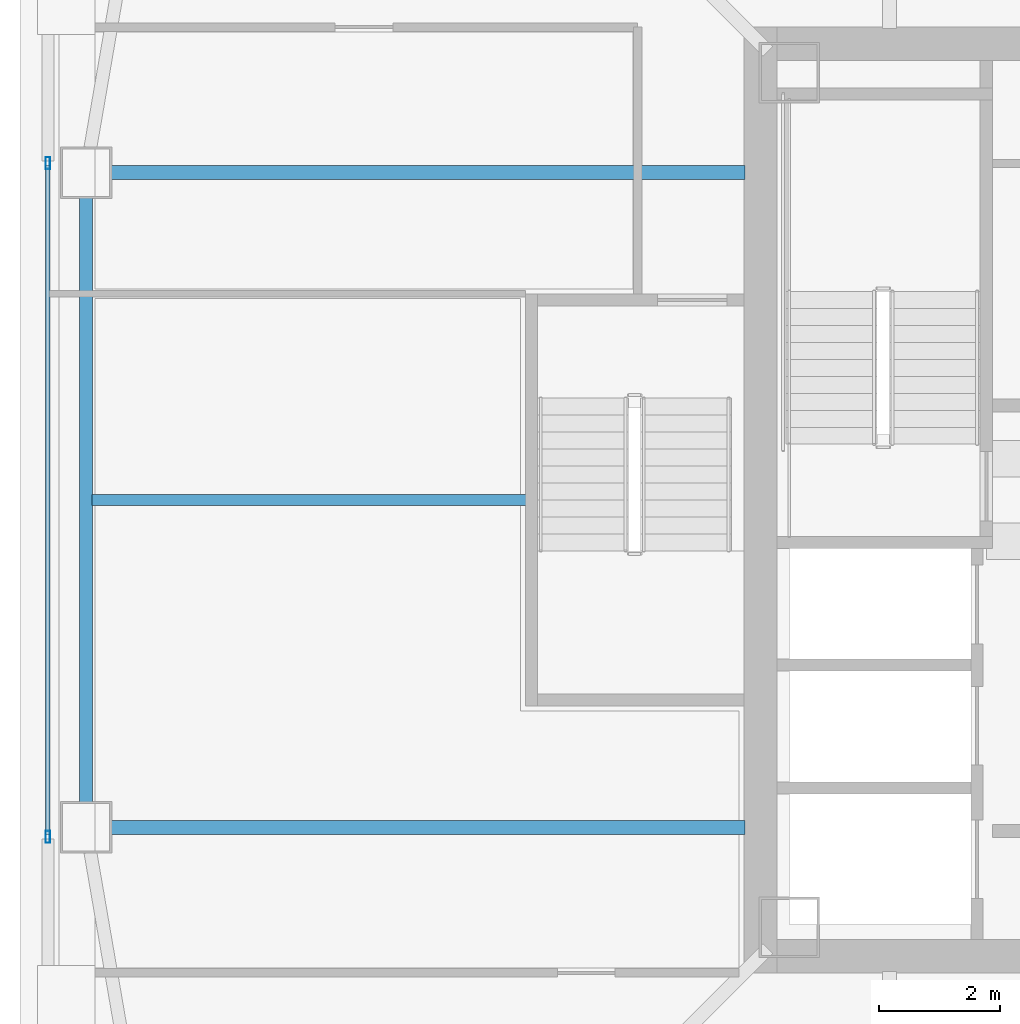
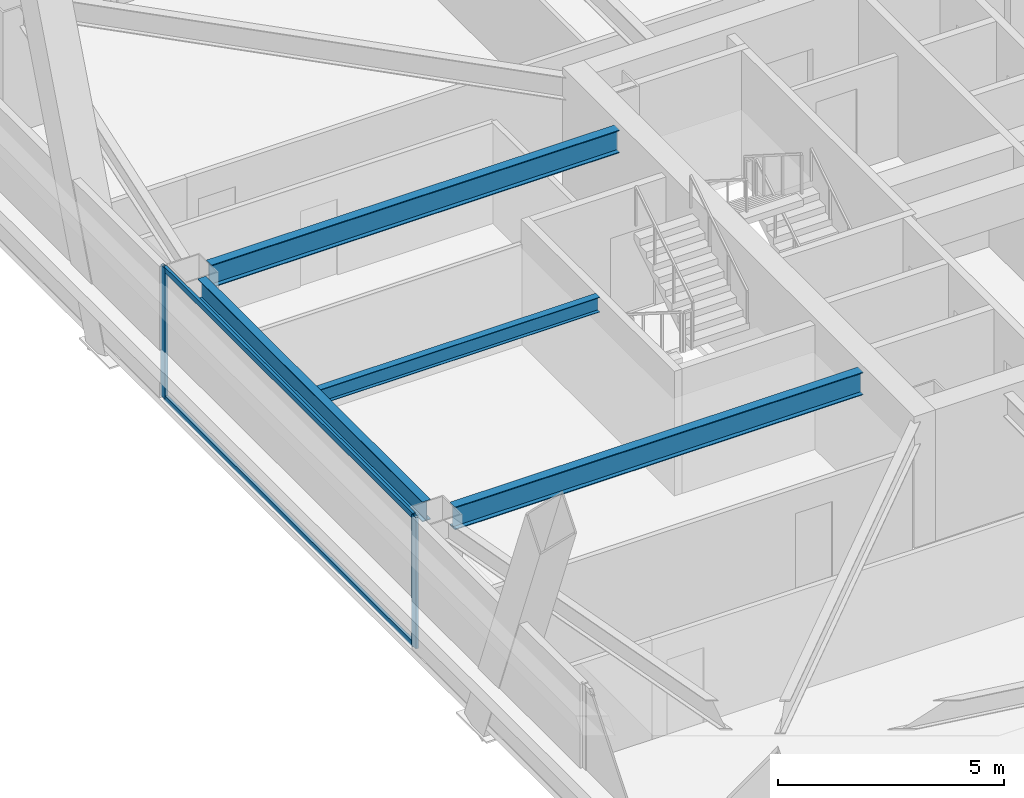
# One storey, part 10 of 54: 4 beams, 4 members, 1 element without a shape of its own.
"""IFC4 building model written with IfcOpenShell, lengths in metres."""

from ifc_helpers import new_model, si_unit, direction, frame, origin, origin_2d, place, context, subcontext, project, spatial, hollow_rectangle, i_section, extrude, material, material_profile, profile_set, type_object, element, aggregate, save


model = new_model("IFC4")

# Units and contexts
model_context = context("Model", 3, precision=1e-05, world=origin(), true_north=direction((0.0, 1.0)))
body_context = subcontext(model_context, "Body", "Model", "MODEL_VIEW")
ifc_project = project(units=[si_unit("LENGTHUNIT", "METRE"), si_unit("AREAUNIT", "SQUARE_METRE"), si_unit("VOLUMEUNIT", "CUBIC_METRE"), si_unit("PLANEANGLEUNIT", "RADIAN"), si_unit("MASSUNIT", "GRAM", prefix="KILO")], contexts=[model_context])

# Site, building, storey
site_placement = place(None, origin())
site = spatial("IfcSite", under=ifc_project, at=site_placement, CompositionType="ELEMENT")
building_placement = place(site_placement, origin())
building = spatial("IfcBuilding", under=site, at=building_placement, Name="Tashvorn Skyway Center", CompositionType="ELEMENT")
storey_placement = place(building_placement, frame((0.0, 0.0, 135.699951171875)))
storey = spatial("IfcBuildingStorey", under=building, at=storey_placement, Name="L36", CompositionType="ELEMENT", Elevation=135.699951171875)

# Beams
ifc_material_1 = material(Name="Steel ASTM A992 Grade 50", Category="steel")
ifc_material_profile_1 = material_profile(ifc_material_1, i_section(OverallWidth=0.22998046875, OverallDepth=0.616943359375, WebThickness=0.01318359375, FlangeThickness=0.022216796875, at=origin_2d()), Name="W24X94")
ifc_profile_set_1 = profile_set([ifc_material_profile_1], Name="Steel ASTM A992 Grade 50")
beam_type_1 = type_object("IfcBeamType", Name="BM-BEAM-W24X94", PredefinedType="BEAM", material=ifc_profile_set_1)
for number, where, z_axis, x_axis, name in (
    (1, (23.77001953125, 37.39990234375, 3.0615234375), (1.0, 0.0, 0.0), (0.0, 1.0, 0.0), "Tower 1 L36 Primary Floor Girder FC-W1"),
    (2, (23.77001953125, 26.60009765625, 3.0615234375), (1.0, 0.0, 0.0), (0.0, 1.0, 0.0), "Tower 1 L36 Primary Floor Girder FC-W2"),
):
    element("IfcBeam", number, at=place(storey_placement, frame(where, z_axis=z_axis, x_axis=x_axis)), inside=storey, type_object=beam_type_1, Name=name, PredefinedType="BEAM", context=body_context, shape_type="SweptSolid", body=[
        extrude(i_section(OverallWidth=0.22998046875, OverallDepth=0.616943359375, WebThickness=0.01318359375, FlangeThickness=0.022216796875, at=origin_2d()), origin(), (0.0, 0.0, 1.0), 10.449951171875),
    ])
ifc_material_profile_2 = material_profile(ifc_material_1, i_section(OverallWidth=0.177978515625, OverallDepth=0.406005859375, WebThickness=0.0078125, FlangeThickness=0.0126953125, at=origin_2d()), Name="W16X40")
ifc_profile_set_2 = profile_set([ifc_material_profile_2], Name="Steel ASTM A992 Grade 50")
beam_type_2 = type_object("IfcBeamType", Name="BM-JOIST-W16X40", PredefinedType="JOIST", material=ifc_profile_set_2)
beam_1_placement = place(storey_placement, frame((30.610107421875, 32.0, 3.1669921875), z_axis=(-1.0, 0.0, 0.0), x_axis=(0.0, -1.0, 0.0)))
element("IfcBeam", 3, at=beam_1_placement, inside=storey, type_object=beam_type_2, Name="Tower 1 L36 Secondary Composite Joist JW", PredefinedType="JOIST", context=body_context, shape_type="SweptSolid", body=[
    extrude(i_section(OverallWidth=0.177978515625, OverallDepth=0.406005859375, WebThickness=0.0078125, FlangeThickness=0.0126953125, at=origin_2d()), origin(), (0.0, 0.0, 1.0), 7.16259765625),
])
ifc_material_profile_3 = material_profile(ifc_material_1, i_section(OverallWidth=0.2109375, OverallDepth=0.5390625, WebThickness=0.01171875, FlangeThickness=0.018798828125, at=origin_2d()), Name="W21X73")
ifc_profile_set_3 = profile_set([ifc_material_profile_3], Name="Steel ASTM A992 Grade 50")
beam_type_3 = type_object("IfcBeamType", Name="BM-SPANDREL-W21X73", PredefinedType="SPANDREL", material=ifc_profile_set_3)
beam_2_placement = place(storey_placement, frame((23.35009765625, 36.97998046875, 3.1005859375), z_axis=(0.0, -1.0, 0.0), x_axis=(1.0, 0.0, 0.0)))
element("IfcBeam", 4, at=beam_2_placement, inside=storey, type_object=beam_type_3, Name="Tower 1 L36 Spandrel Beam 11", PredefinedType="SPANDREL", context=body_context, shape_type="SweptSolid", body=[
    extrude(i_section(OverallWidth=0.2109375, OverallDepth=0.5390625, WebThickness=0.01171875, FlangeThickness=0.018798828125, at=origin_2d()), origin(), (0.0, 0.0, 1.0), 9.9599609375),
])

# Curtain wall, members
ifc_material_2 = material(Name="Thermally broken bronze-anodized aluminium 6063-T6", Category="aluminium")
curtain_wall_type = type_object("IfcCurtainWallType", Name="CW-CW-Z3", PredefinedType="NOTDEFINED", material=ifc_material_2)
curtain_wall_placement = place(storey_placement, origin())
curtain_wall = element("IfcCurtainWall", 5, at=curtain_wall_placement, inside=storey, type_object=curtain_wall_type, Name="Tower 1 L36 West Unitised Curtain Wall Glazing Group 2", PredefinedType="NOTDEFINED")
ifc_material_profile_4 = material_profile(ifc_material_2, hollow_rectangle(XDim=0.074951171875, YDim=0.199951171875, WallThickness=0.00439453125, at=origin_2d()), Name="ALU-MULL-75x200")
ifc_profile_set_4 = profile_set([ifc_material_profile_4], Name="Thermally broken bronze-anodized aluminium 6063-T6")
member_type_1 = type_object("IfcMemberType", Name="CWM-CW-Z3", PredefinedType="MULLION", material=ifc_profile_set_4)
member_1_placement = place(storey_placement, frame((22.719970703125, 26.444091796875, 0.0), z_axis=(0.0, 0.0, 1.0), x_axis=(-1.0, 0.0, 0.0)))
member_1 = element("IfcMember", 6, at=member_1_placement, type_object=member_type_1, Name="CW-Z3 mullion 1", PredefinedType="MULLION", context=body_context, shape_type="SweptSolid", body=[
    extrude(hollow_rectangle(XDim=0.074951171875, YDim=0.199951171875, WallThickness=0.00439453125, at=origin_2d()), origin(), (0.0, 0.0, 1.0), 3.550048828125),
])
member_2_placement = place(storey_placement, frame((22.719970703125, 37.555908203125, 0.0), z_axis=(0.0, 0.0, 1.0), x_axis=(-1.0, 0.0, 0.0)))
member_2 = element("IfcMember", 7, at=member_2_placement, type_object=member_type_1, Name="CW-Z3 mullion 2", PredefinedType="MULLION", context=body_context, shape_type="SweptSolid", body=[
    extrude(hollow_rectangle(XDim=0.074951171875, YDim=0.199951171875, WallThickness=0.00439453125, at=origin_2d()), origin(), (0.0, 0.0, 1.0), 3.550048828125),
])
ifc_material_profile_5 = material_profile(ifc_material_2, hollow_rectangle(XDim=0.074951171875, YDim=0.139892578125, WallThickness=0.004150390625, at=origin_2d()), Name="ALU-TRAN-75x140")
ifc_profile_set_5 = profile_set([ifc_material_profile_5], Name="Thermally broken bronze-anodized aluminium 6063-T6")
member_type_2 = type_object("IfcMemberType", Name="CWT-CW-Z3", PredefinedType="USERDEFINED", material=ifc_profile_set_5)
member_3_placement = place(storey_placement, frame((22.719970703125, 26.481689453125, 0.03759765625), z_axis=(0.0, 1.0, 0.0), x_axis=(-1.0, 0.0, 0.0)))
member_3 = element("IfcMember", 8, at=member_3_placement, type_object=member_type_2, Name="CW-Z3 transom 1.1", ObjectType="TRANSOM", PredefinedType="USERDEFINED", context=body_context, shape_type="SweptSolid", body=[
    extrude(hollow_rectangle(XDim=0.074951171875, YDim=0.139892578125, WallThickness=0.004150390625, at=origin_2d()), origin(), (0.0, 0.0, 1.0), 11.03662109375),
])
member_4_placement = place(storey_placement, frame((22.719970703125, 26.481689453125, 3.512451171875), z_axis=(0.0, 1.0, 0.0), x_axis=(-1.0, 0.0, 0.0)))
member_4 = element("IfcMember", 9, at=member_4_placement, type_object=member_type_2, Name="CW-Z3 transom 1.2", ObjectType="TRANSOM", PredefinedType="USERDEFINED", context=body_context, shape_type="SweptSolid", body=[
    extrude(hollow_rectangle(XDim=0.074951171875, YDim=0.139892578125, WallThickness=0.004150390625, at=origin_2d()), origin(), (0.0, 0.0, 1.0), 11.03662109375),
])
aggregate(curtain_wall, [member_1, member_2, member_3, member_4])

save(model, "model.ifc")
